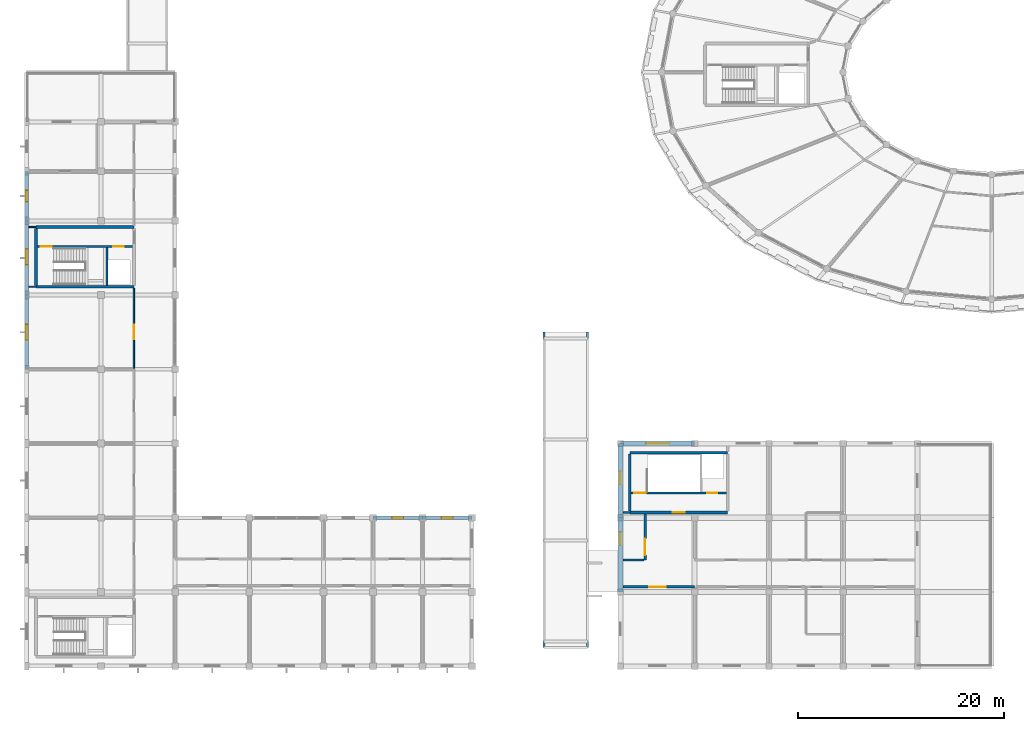
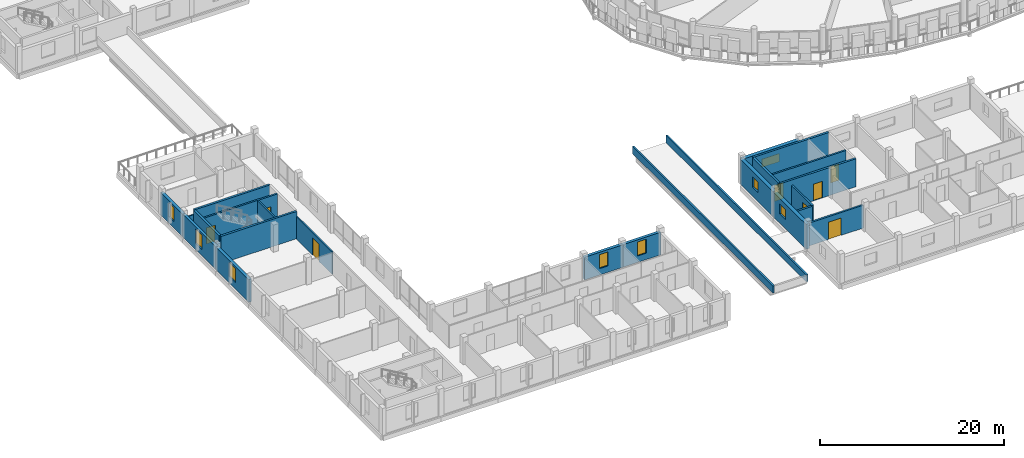
# One storey, part 73 of 93: 26 walls, 8 doors, 8 windows, 16 openings.
"""IFC4 building model written with IfcOpenShell, lengths in metres."""

from ifc_helpers import new_model, si_unit, direction, frame, frame_2d, origin, place, context, subcontext, project, spatial, rectangle, extrude, material, layer, layer_set, type_object, element, fill, save


model = new_model("IFC4")

# Units and contexts
model_context = context("Model", 3, precision=1e-05, world=origin(), true_north=direction((0.0, 1.0)))
body_context = subcontext(model_context, "Body", "Model", "MODEL_VIEW")
ifc_project = project(units=[si_unit("LENGTHUNIT", "METRE"), si_unit("AREAUNIT", "SQUARE_METRE"), si_unit("VOLUMEUNIT", "CUBIC_METRE"), si_unit("PLANEANGLEUNIT", "RADIAN"), si_unit("MASSUNIT", "GRAM", prefix="KILO")], contexts=[model_context])

# Site, building, storey
site_placement = place(None, origin())
site = spatial("IfcSite", under=ifc_project, at=site_placement, CompositionType="ELEMENT")
building_placement = place(site_placement, origin())
building = spatial("IfcBuilding", under=site, at=building_placement, Name="Zornivar Specialist Clinic", CompositionType="ELEMENT")
storey_placement = place(building_placement, frame((0.0, 0.0, 8.39990234375)))
storey = spatial("IfcBuildingStorey", under=building, at=storey_placement, Name="L02", CompositionType="ELEMENT", Elevation=8.39990234375)

# Wall, opening, window
ifc_material_1 = material(Name="Masonry Red-Ochre Brick and Stone Insulated Wall", Category="masonry")
ifc_layer_1 = layer(ifc_material_1, 0.360107421875)
ifc_layer_set_1 = layer_set([ifc_layer_1], Name="Masonry Red-Ochre Brick and Stone Insulated Wall")
wall_type_1 = type_object("IfcWallType", Name="EW-BRICK-360", PredefinedType="SOLIDWALL", material=ifc_layer_set_1)
wall_1_placement = place(storey_placement, frame((43.199951171875, 14.39990234375, 0.0), z_axis=(0.0, 0.0, 1.0), x_axis=(-1.0, 0.0, 0.0)))
wall_1 = element("IfcWall", 1, at=wall_1_placement, inside=storey, type_object=wall_type_1, Name="ew:V2:L02:09", PredefinedType="SOLIDWALL", context=body_context, shape_type="SweptSolid", body=[
    extrude(rectangle(XDim=4.800048828125, YDim=0.360107421875, at=frame_2d((2.39990234375, 0.0))), origin(), (0.0, 0.0, 1.0), 3.0),
])
opening_1_placement = place(wall_1_placement, frame((1.85009765625, 0.0, 0.85009765625)))
opening_1 = element("IfcOpeningElement", 2, at=opening_1_placement, cuts=wall_1, Name="Opening W-07", PredefinedType="OPENING", context=body_context, shape_type="SweptSolid", body=[
    extrude(rectangle(XDim=1.10009765625, YDim=1.85009765625, at=frame_2d((0.550048828125, 0.925048828125))), frame((0.0, 0.18994140625, 0.0), z_axis=(0.0, -1.0, 0.0), x_axis=(1.0, 0.0, 0.0)), (0.0, 0.0, 1.0), 0.380126953125),
])
ifc_material_2 = material(Name="Triple-Glazed Aluminium-Timber Window Glass", Category="wood")
window_type_1 = type_object("IfcWindowType", Name="WIN-OUTP-PIER-1100x1850", PartitioningType="SINGLE_PANEL", PredefinedType="WINDOW", material=ifc_material_2)
window_1_placement = place(opening_1_placement, origin())
window_1 = element("IfcWindow", 3, at=window_1_placement, inside=storey, type_object=window_type_1, Name="win:V2:L02:09", OverallHeight=1.85009765625, OverallWidth=1.10009765625, PartitioningType="SINGLE_PANEL", PredefinedType="WINDOW", context=body_context, shape_type="SweptSolid", body=[
    extrude(rectangle(XDim=1.10009765625, YDim=1.85009765625, at=frame_2d((0.550048828125, 0.925048828125))), frame((0.0, 0.030029296875, 0.0), z_axis=(0.0, -1.0, 0.0), x_axis=(1.0, 0.0, 0.0)), (0.0, 0.0, 1.0), 0.06005859375),
])
fill(opening_1, window_1)

wall_2_placement = place(storey_placement, frame((38.39990234375, 14.39990234375, 0.0), z_axis=(0.0, 0.0, 1.0), x_axis=(-1.0, 0.0, 0.0)))
wall_2 = element("IfcWall", 4, at=wall_2_placement, inside=storey, type_object=wall_type_1, Name="ew:V2:L02:10", PredefinedType="SOLIDWALL", context=body_context, shape_type="SweptSolid", body=[
    extrude(rectangle(XDim=4.7998046875, YDim=0.360107421875, at=frame_2d((2.39990234375, 0.0))), origin(), (0.0, 0.0, 1.0), 3.0),
])
opening_2_placement = place(wall_2_placement, frame((1.85009765625, 0.0, 0.85009765625)))
opening_2 = element("IfcOpeningElement", 5, at=opening_2_placement, cuts=wall_2, Name="Opening W-07", PredefinedType="OPENING", context=body_context, shape_type="SweptSolid", body=[
    extrude(rectangle(XDim=1.10009765625, YDim=1.85009765625, at=frame_2d((0.550048828125, 0.925048828125))), frame((0.0, 0.18994140625, 0.0), z_axis=(0.0, -1.0, 0.0), x_axis=(1.0, 0.0, 0.0)), (0.0, 0.0, 1.0), 0.380126953125),
])
window_2_placement = place(opening_2_placement, origin())
window_2 = element("IfcWindow", 6, at=window_2_placement, inside=storey, type_object=window_type_1, Name="win:V2:L02:10", OverallHeight=1.85009765625, OverallWidth=1.10009765625, PartitioningType="SINGLE_PANEL", PredefinedType="WINDOW", context=body_context, shape_type="SweptSolid", body=[
    extrude(rectangle(XDim=1.10009765625, YDim=1.85009765625, at=frame_2d((0.550048828125, 0.925048828125))), frame((0.0, 0.030029296875, 0.0), z_axis=(0.0, -1.0, 0.0), x_axis=(1.0, 0.0, 0.0)), (0.0, 0.0, 1.0), 0.06005859375),
])
fill(opening_2, window_2)

wall_3_placement = place(storey_placement, frame((0.0, 48.0, 0.0), z_axis=(0.0, 0.0, 1.0), x_axis=(0.0, -1.0, 0.0)))
wall_3 = element("IfcWall", 7, at=wall_3_placement, inside=storey, type_object=wall_type_1, Name="ew:V2:L02:23", PredefinedType="SOLIDWALL", context=body_context, shape_type="SweptSolid", body=[
    extrude(rectangle(XDim=4.800048828125, YDim=0.360107421875, at=frame_2d((2.39990234375, 0.0))), origin(), (0.0, 0.0, 1.0), 3.0),
])
opening_3_placement = place(wall_3_placement, frame((1.85009765625, 0.0, 0.85009765625)))
opening_3 = element("IfcOpeningElement", 8, at=opening_3_placement, cuts=wall_3, Name="Opening W-07", PredefinedType="OPENING", context=body_context, shape_type="SweptSolid", body=[
    extrude(rectangle(XDim=1.10009765625, YDim=1.85009765625, at=frame_2d((0.550048828125, 0.925048828125))), frame((0.0, 0.18994140625, 0.0), z_axis=(0.0, -1.0, 0.0), x_axis=(1.0, 0.0, 0.0)), (0.0, 0.0, 1.0), 0.380126953125),
])
window_3_placement = place(opening_3_placement, origin())
window_3 = element("IfcWindow", 9, at=window_3_placement, inside=storey, type_object=window_type_1, Name="win:V2:L02:23", OverallHeight=1.85009765625, OverallWidth=1.10009765625, PartitioningType="SINGLE_PANEL", PredefinedType="WINDOW", context=body_context, shape_type="SweptSolid", body=[
    extrude(rectangle(XDim=1.10009765625, YDim=1.85009765625, at=frame_2d((0.550048828125, 0.925048828125))), frame((0.0, 0.030029296875, 0.0), z_axis=(0.0, -1.0, 0.0), x_axis=(1.0, 0.0, 0.0)), (0.0, 0.0, 1.0), 0.06005859375),
])
fill(opening_3, window_3)

wall_4_placement = place(storey_placement, frame((0.0, 43.199951171875, 0.0), z_axis=(0.0, 0.0, 1.0), x_axis=(0.0, -1.0, 0.0)))
wall_4 = element("IfcWall", 10, at=wall_4_placement, inside=storey, type_object=wall_type_1, Name="ew:V2:L02:24", PredefinedType="SOLIDWALL", context=body_context, shape_type="SweptSolid", body=[
    extrude(rectangle(XDim=7.199951171875, YDim=0.360107421875, at=frame_2d((3.60009765625, 0.0))), origin(), (0.0, 0.0, 1.0), 3.0),
])
opening_4_placement = place(wall_4_placement, frame((2.75, 0.0, 0.85009765625)))
opening_4 = element("IfcOpeningElement", 11, at=opening_4_placement, cuts=wall_4, Name="Opening W-05", PredefinedType="OPENING", context=body_context, shape_type="SweptSolid", body=[
    extrude(rectangle(XDim=1.5, YDim=1.89990234375, at=frame_2d((0.75, 0.949951171875))), frame((0.0, 0.18994140625, 0.0), z_axis=(0.0, -1.0, 0.0), x_axis=(1.0, 0.0, 0.0)), (0.0, 0.0, 1.0), 0.380126953125),
])
ifc_material_3 = material(Name="Triple-Glazed Aluminium-Timber Window Glass", Category="wood")
window_type_2 = type_object("IfcWindowType", Name="WIN-OUTP-STREET-1500x1900", PartitioningType="SINGLE_PANEL", PredefinedType="WINDOW", material=ifc_material_3)
window_4_placement = place(opening_4_placement, origin())
window_4 = element("IfcWindow", 12, at=window_4_placement, inside=storey, type_object=window_type_2, Name="win:V2:L02:24", OverallHeight=1.89990234375, OverallWidth=1.5, PartitioningType="SINGLE_PANEL", PredefinedType="WINDOW", context=body_context, shape_type="SweptSolid", body=[
    extrude(rectangle(XDim=1.5, YDim=1.89990234375, at=frame_2d((0.75, 0.949951171875))), frame((0.0, 0.030029296875, 0.0), z_axis=(0.0, -1.0, 0.0), x_axis=(1.0, 0.0, 0.0)), (0.0, 0.0, 1.0), 0.06005859375),
])
fill(opening_4, window_4)

wall_5_placement = place(storey_placement, frame((0.0, 36.0, 0.0), z_axis=(0.0, 0.0, 1.0), x_axis=(0.0, -1.0, 0.0)))
wall_5 = element("IfcWall", 13, at=wall_5_placement, inside=storey, type_object=wall_type_1, Name="ew:V2:L02:25", PredefinedType="SOLIDWALL", context=body_context, shape_type="SweptSolid", body=[
    extrude(rectangle(XDim=7.199951171875, YDim=0.360107421875, at=frame_2d((3.60009765625, 0.0))), origin(), (0.0, 0.0, 1.0), 3.0),
])
opening_5_placement = place(wall_5_placement, frame((2.85009765625, 0.0, 0.85009765625)))
opening_5 = element("IfcOpeningElement", 14, at=opening_5_placement, cuts=wall_5, Name="Opening W-05", PredefinedType="OPENING", context=body_context, shape_type="SweptSolid", body=[
    extrude(rectangle(XDim=1.5, YDim=1.89990234375, at=frame_2d((0.75, 0.949951171875))), frame((0.0, 0.18994140625, 0.0), z_axis=(0.0, -1.0, 0.0), x_axis=(1.0, 0.0, 0.0)), (0.0, 0.0, 1.0), 0.380126953125),
])
window_5_placement = place(opening_5_placement, origin())
window_5 = element("IfcWindow", 15, at=window_5_placement, inside=storey, type_object=window_type_2, Name="win:V2:L02:25", OverallHeight=1.89990234375, OverallWidth=1.5, PartitioningType="SINGLE_PANEL", PredefinedType="WINDOW", context=body_context, shape_type="SweptSolid", body=[
    extrude(rectangle(XDim=1.5, YDim=1.89990234375, at=frame_2d((0.75, 0.949951171875))), frame((0.0, 0.030029296875, 0.0), z_axis=(0.0, -1.0, 0.0), x_axis=(1.0, 0.0, 0.0)), (0.0, 0.0, 1.0), 0.06005859375),
])
fill(opening_5, window_5)

ifc_material_4 = material(Name="Barium-shielded concrete C35/45", Category="concrete")
ifc_layer_2 = layer(ifc_material_4, 0.4599609375)
ifc_layer_set_2 = layer_set([ifc_layer_2], Name="Barium-shielded concrete C35/45")
wall_type_2 = type_object("IfcWallType", Name="EW-IMG-SHIELD-460", PredefinedType="SOLIDWALL", material=ifc_layer_set_2)
wall_6_placement = place(storey_placement, frame((64.800048828125, 21.60009765625, 0.0), z_axis=(0.0, 0.0, 1.0), x_axis=(-1.0, 0.0, 0.0)))
wall_6 = element("IfcWall", 16, at=wall_6_placement, inside=storey, type_object=wall_type_2, Name="ew:V3:L02:10", PredefinedType="SOLIDWALL", context=body_context, shape_type="SweptSolid", body=[
    extrude(rectangle(XDim=7.199951171875, YDim=0.4599609375, at=frame_2d((3.60009765625, 0.0))), origin(), (0.0, 0.0, 1.0), 3.300048828125),
])
opening_6_placement = place(wall_6_placement, frame((2.5, 0.0, 1.199951171875)))
opening_6 = element("IfcOpeningElement", 17, at=opening_6_placement, cuts=wall_6, Name="Opening W-13", PredefinedType="OPENING", context=body_context, shape_type="SweptSolid", body=[
    extrude(rectangle(XDim=2.199951171875, YDim=1.10009765625, at=frame_2d((1.10009765625, 0.550048828125))), frame((0.0, 0.239990234375, 0.0), z_axis=(0.0, -1.0, 0.0), x_axis=(1.0, 0.0, 0.0)), (0.0, 0.0, 1.0), 0.47998046875),
])
ifc_material_5 = material(Name="Triple-Glazed Aluminium-Timber Window Glass", Category="wood")
window_type_3 = type_object("IfcWindowType", Name="WIN-IMG-CLER-2200x1100", PartitioningType="SINGLE_PANEL", PredefinedType="WINDOW", material=ifc_material_5)
window_6_placement = place(opening_6_placement, origin())
window_6 = element("IfcWindow", 18, at=window_6_placement, inside=storey, type_object=window_type_3, Name="win:V3:L02:10", OverallHeight=1.10009765625, OverallWidth=2.199951171875, PartitioningType="SINGLE_PANEL", PredefinedType="WINDOW", context=body_context, shape_type="SweptSolid", body=[
    extrude(rectangle(XDim=2.199951171875, YDim=1.10009765625, at=frame_2d((1.10009765625, 0.550048828125))), frame((0.0, 0.030029296875, 0.0), z_axis=(0.0, -1.0, 0.0), x_axis=(1.0, 0.0, 0.0)), (0.0, 0.0, 1.0), 0.06005859375),
])
fill(opening_6, window_6)

wall_7_placement = place(storey_placement, frame((57.60009765625, 21.60009765625, 0.0), z_axis=(0.0, 0.0, 1.0), x_axis=(0.0, -1.0, 0.0)))
wall_7 = element("IfcWall", 19, at=wall_7_placement, inside=storey, type_object=wall_type_2, Name="ew:V3:L02:11", PredefinedType="SOLIDWALL", context=body_context, shape_type="SweptSolid", body=[
    extrude(rectangle(XDim=7.2001953125, YDim=0.4599609375, at=frame_2d((3.60009765625, 0.0))), origin(), (0.0, 0.0, 1.0), 3.300048828125),
])
opening_7_placement = place(wall_7_placement, frame((2.72509765625, 0.0, 1.199951171875)))
opening_7 = element("IfcOpeningElement", 20, at=opening_7_placement, cuts=wall_7, Name="Opening W-14", PredefinedType="OPENING", context=body_context, shape_type="SweptSolid", body=[
    extrude(rectangle(XDim=1.25, YDim=1.35009765625, at=frame_2d((0.625, 0.675048828125))), frame((0.0, 0.239990234375, 0.0), z_axis=(0.0, -1.0, 0.0), x_axis=(1.0, 0.0, 0.0)), (0.0, 0.0, 1.0), 0.47998046875),
])
ifc_material_6 = material(Name="Triple-Glazed Aluminium-Timber Window Glass", Category="wood")
window_type_4 = type_object("IfcWindowType", Name="WIN-IMG-CTRL-1250x1350", PartitioningType="SINGLE_PANEL", PredefinedType="WINDOW", material=ifc_material_6)
window_7_placement = place(opening_7_placement, origin())
window_7 = element("IfcWindow", 21, at=window_7_placement, inside=storey, type_object=window_type_4, Name="win:V3:L02:11", OverallHeight=1.35009765625, OverallWidth=1.25, PartitioningType="SINGLE_PANEL", PredefinedType="WINDOW", context=body_context, shape_type="SweptSolid", body=[
    extrude(rectangle(XDim=1.25, YDim=1.35009765625, at=frame_2d((0.625, 0.675048828125))), frame((0.0, 0.030029296875, 0.0), z_axis=(0.0, -1.0, 0.0), x_axis=(1.0, 0.0, 0.0)), (0.0, 0.0, 1.0), 0.06005859375),
])
fill(opening_7, window_7)

wall_8_placement = place(storey_placement, frame((57.60009765625, 14.39990234375, 0.0), z_axis=(0.0, 0.0, 1.0), x_axis=(0.0, -1.0, 0.0)))
wall_8 = element("IfcWall", 22, at=wall_8_placement, inside=storey, type_object=wall_type_2, Name="ew:V3:L02:12", PredefinedType="SOLIDWALL", context=body_context, shape_type="SweptSolid", body=[
    extrude(rectangle(XDim=7.199951171875, YDim=0.4599609375, at=frame_2d((3.60009765625, 0.0))), origin(), (0.0, 0.0, 1.0), 3.300048828125),
])
opening_8_placement = place(wall_8_placement, frame((1.425048828125, 0.0, 1.199951171875)))
opening_8 = element("IfcOpeningElement", 23, at=opening_8_placement, cuts=wall_8, Name="Opening W-14", PredefinedType="OPENING", context=body_context, shape_type="SweptSolid", body=[
    extrude(rectangle(XDim=1.25, YDim=1.35009765625, at=frame_2d((0.625, 0.675048828125))), frame((0.0, 0.239990234375, 0.0), z_axis=(0.0, -1.0, 0.0), x_axis=(1.0, 0.0, 0.0)), (0.0, 0.0, 1.0), 0.47998046875),
])
window_8_placement = place(opening_8_placement, origin())
window_8 = element("IfcWindow", 24, at=window_8_placement, inside=storey, type_object=window_type_4, Name="win:V3:L02:12", OverallHeight=1.35009765625, OverallWidth=1.25, PartitioningType="SINGLE_PANEL", PredefinedType="WINDOW", context=body_context, shape_type="SweptSolid", body=[
    extrude(rectangle(XDim=1.25, YDim=1.35009765625, at=frame_2d((0.625, 0.675048828125))), frame((0.0, 0.030029296875, 0.0), z_axis=(0.0, -1.0, 0.0), x_axis=(1.0, 0.0, 0.0)), (0.0, 0.0, 1.0), 0.06005859375),
])
fill(opening_8, window_8)

# Wall
ifc_material_7 = material(Name="Acoustic Clinical Stud Partition")
ifc_layer_3 = layer(ifc_material_7, 0.139892578125)
ifc_layer_set_3 = layer_set([ifc_layer_3], Name="Acoustic Clinical Stud Partition")
wall_type_3 = type_object("IfcWallType", Name="IW-CLIN-140", PredefinedType="PARTITIONING", material=ifc_layer_set_3)
wall_9_placement = place(storey_placement, frame((0.89990234375, 42.60009765625, 0.0), z_axis=(0.0, 0.0, 1.0), x_axis=(-1.0, 0.0, 0.0)))
element("IfcWall", 25, at=wall_9_placement, inside=storey, type_object=wall_type_3, Name="iw:L02:059", PredefinedType="PARTITIONING", context=body_context, shape_type="SweptSolid", body=[
    extrude(rectangle(XDim=0.704833984375, YDim=0.139892578125, at=frame_2d((0.3525390625, 0.0))), origin(), (0.0, 0.0, 1.0), 2.97998046875),
])

# Wall, opening, door
ifc_material_8 = material(Name="Gypsum Fire-Rated Double Stud Partition")
ifc_layer_4 = layer(ifc_material_8, 0.159912109375)
ifc_layer_set_4 = layer_set([ifc_layer_4], Name="Gypsum Fire-Rated Double Stud Partition")
wall_type_4 = type_object("IfcWallType", Name="IW-CORR-EI60-160", PredefinedType="PARTITIONING", material=ifc_layer_set_4)
wall_10_placement = place(storey_placement, frame((10.39990234375, 36.655029296875, 0.0), z_axis=(0.0, 0.0, 1.0), x_axis=(0.0, -1.0, 0.0)))
wall_10 = element("IfcWall", 26, at=wall_10_placement, inside=storey, type_object=wall_type_4, Name="iw:L02:056", PredefinedType="PARTITIONING", context=body_context, shape_type="SweptSolid", body=[
    extrude(rectangle(XDim=7.77099609375, YDim=0.159912109375, at=frame_2d((3.885498046875, 0.0))), origin(), (0.0, 0.0, 1.0), 2.97998046875),
])
opening_9_placement = place(wall_10_placement, frame((3.5380859375, 0.0, 0.0)))
opening_9 = element("IfcOpeningElement", 27, at=opening_9_placement, cuts=wall_10, Name="Opening ID-12", PredefinedType="OPENING", context=body_context, shape_type="SweptSolid", body=[
    extrude(rectangle(XDim=1.39990234375, YDim=2.300048828125, at=frame_2d((0.699951171875, 1.14990234375))), frame((0.0, 0.08984375, 0.0), z_axis=(0.0, -1.0, 0.0), x_axis=(1.0, 0.0, 0.0)), (0.0, 0.0, 1.0), 0.179931640625),
])
ifc_material_9 = material(Name="Solid-Core Hygienic Laminate Timber Door", Category="wood")
door_type_1 = type_object("IfcDoorType", Name="ID-WAIT-1400x2300", OperationType="NOTDEFINED", PredefinedType="DOOR", material=ifc_material_9)
door_1_placement = place(opening_9_placement, origin())
door_1 = element("IfcDoor", 28, at=door_1_placement, inside=storey, type_object=door_type_1, Name="door:space:V2:L02:rm:03", OperationType="DOUBLE_DOOR_SINGLE_SWING", OverallHeight=2.300048828125, OverallWidth=1.39990234375, PredefinedType="DOOR", context=body_context, shape_type="SweptSolid", body=[
    extrude(rectangle(XDim=1.39990234375, YDim=2.300048828125, at=frame_2d((0.699951171875, 1.14990234375))), frame((0.0, 0.02490234375, 0.0), z_axis=(0.0, -1.0, 0.0), x_axis=(1.0, 0.0, 0.0)), (0.0, 0.0, 1.0), 0.050048828125),
])
fill(opening_9, door_1)

# Wall
ifc_material_10 = material(Name="Acoustic Glazed Consultation Partition")
ifc_layer_5 = layer(ifc_material_10, 0.1201171875)
ifc_layer_set_5 = layer_set([ifc_layer_5], Name="Acoustic Glazed Consultation Partition")
wall_type_5 = type_object("IfcWallType", Name="IW-GLAZ-120", PredefinedType="PARTITIONING", material=ifc_layer_set_5)
wall_11_placement = place(storey_placement, frame((0.195068359375, 36.800048828125, 0.0), z_axis=(0.0, 0.0, 1.0), x_axis=(1.0, 0.0, 0.0)))
element("IfcWall", 29, at=wall_11_placement, inside=storey, type_object=wall_type_5, Name="iw:L02:057", PredefinedType="PARTITIONING", context=body_context, shape_type="SweptSolid", body=[
    extrude(rectangle(XDim=0.704833984375, YDim=0.1201171875, at=frame_2d((0.3525390625, 0.0))), origin(), (0.0, 0.0, 1.0), 2.97998046875),
])

# Wall, opening, door
ifc_material_11 = material(Name="Barium-Plaster Shielded Diagnostic Partition")
ifc_layer_6 = layer(ifc_material_11, 0.22998046875)
ifc_layer_set_6 = layer_set([ifc_layer_6], Name="Barium-Plaster Shielded Diagnostic Partition")
wall_type_6 = type_object("IfcWallType", Name="IW-IMG-LEAD-230", PredefinedType="PARTITIONING", material=ifc_layer_set_6)
wall_12_placement = place(storey_placement, frame((57.844970703125, 7.699951171875, 0.0), z_axis=(0.0, 0.0, 1.0), x_axis=(1.0, 0.0, 0.0)))
wall_12 = element("IfcWall", 30, at=wall_12_placement, inside=storey, type_object=wall_type_6, Name="iw:L02:084", PredefinedType="PARTITIONING", context=body_context, shape_type="SweptSolid", body=[
    extrude(rectangle(XDim=6.955078125, YDim=0.22998046875, at=frame_2d((3.4775390625, 0.0))), origin(), (0.0, 0.0, 1.0), 3.0400390625),
])
opening_10_placement = place(wall_12_placement, frame((2.56201171875, 0.0, 0.0)))
opening_10 = element("IfcOpeningElement", 31, at=opening_10_placement, cuts=wall_12, Name="Opening ID-02", PredefinedType="OPENING", context=body_context, shape_type="SweptSolid", body=[
    extrude(rectangle(XDim=1.60009765625, YDim=2.300048828125, at=frame_2d((0.800048828125, 1.14990234375))), frame((0.0, 0.125, 0.0), z_axis=(0.0, -1.0, 0.0), x_axis=(1.0, 0.0, 0.0)), (0.0, 0.0, 1.0), 0.25),
])
ifc_material_12 = material(Name="Solid-Core Hygienic Laminate Timber Door", Category="wood")
door_type_2 = type_object("IfcDoorType", Name="ID-IMG-1600x2300", OperationType="NOTDEFINED", PredefinedType="DOOR", material=ifc_material_12)
door_2_placement = place(opening_10_placement, origin())
door_2 = element("IfcDoor", 32, at=door_2_placement, inside=storey, type_object=door_type_2, Name="door:space:V3:L02:rm:00", OperationType="DOUBLE_DOOR_SINGLE_SWING", OverallHeight=2.300048828125, OverallWidth=1.60009765625, PredefinedType="DOOR", context=body_context, shape_type="SweptSolid", body=[
    extrude(rectangle(XDim=1.60009765625, YDim=2.300048828125, at=frame_2d((0.800048828125, 1.14990234375))), frame((0.0, 0.02490234375, 0.0), z_axis=(0.0, -1.0, 0.0), x_axis=(1.0, 0.0, 0.0)), (0.0, 0.0, 1.0), 0.050048828125),
])
fill(opening_10, door_2)

# Wall
wall_13_placement = place(storey_placement, frame((57.844970703125, 14.89990234375, 0.0), z_axis=(0.0, 0.0, 1.0), x_axis=(1.0, 0.0, 0.0)))
element("IfcWall", 33, at=wall_13_placement, inside=storey, type_object=wall_type_6, Name="iw:L02:086", PredefinedType="PARTITIONING", context=body_context, shape_type="SweptSolid", body=[
    extrude(rectangle(XDim=0.655029296875, YDim=0.22998046875, at=frame_2d((0.32763671875, 0.0))), origin(), (0.0, 0.0, 1.0), 3.0400390625),
])

# Wall, opening, door
wall_14_placement = place(storey_placement, frame((60.0, 14.7548828125, 0.0), z_axis=(0.0, 0.0, 1.0), x_axis=(0.0, -1.0, 0.0)))
wall_14 = element("IfcWall", 34, at=wall_14_placement, inside=storey, type_object=wall_type_6, Name="iw:L02:087", PredefinedType="PARTITIONING", context=body_context, shape_type="SweptSolid", body=[
    extrude(rectangle(XDim=4.454833984375, YDim=0.22998046875, at=frame_2d((2.2275390625, 0.0))), origin(), (0.0, 0.0, 1.0), 3.0400390625),
])
opening_11_placement = place(wall_14_placement, frame((2.375, 0.0, 0.0)))
opening_11 = element("IfcOpeningElement", 35, at=opening_11_placement, cuts=wall_14, Name="Opening ID-02", PredefinedType="OPENING", context=body_context, shape_type="SweptSolid", body=[
    extrude(rectangle(XDim=1.60009765625, YDim=2.300048828125, at=frame_2d((0.800048828125, 1.14990234375))), frame((0.0, 0.125, 0.0), z_axis=(0.0, -1.0, 0.0), x_axis=(1.0, 0.0, 0.0)), (0.0, 0.0, 1.0), 0.25),
])
door_3_placement = place(opening_11_placement, origin())
door_3 = element("IfcDoor", 36, at=door_3_placement, inside=storey, type_object=door_type_2, Name="door:space:V3:L02:rm:01", OperationType="DOUBLE_DOOR_SINGLE_SWING", OverallHeight=2.300048828125, OverallWidth=1.60009765625, PredefinedType="DOOR", context=body_context, shape_type="SweptSolid", body=[
    extrude(rectangle(XDim=1.60009765625, YDim=2.300048828125, at=frame_2d((0.800048828125, 1.14990234375))), frame((0.0, 0.02490234375, 0.0), z_axis=(0.0, -1.0, 0.0), x_axis=(1.0, 0.0, 0.0)), (0.0, 0.0, 1.0), 0.050048828125),
])
fill(opening_11, door_3)

# Walls
wall_15_placement = place(storey_placement, frame((59.87109375, 10.300048828125, 0.0), z_axis=(0.0, 0.0, 1.0), x_axis=(-1.0, 0.0, 0.0)))
element("IfcWall", 37, at=wall_15_placement, inside=storey, type_object=wall_type_6, Name="iw:L02:088", PredefinedType="PARTITIONING", context=body_context, shape_type="SweptSolid", body=[
    extrude(rectangle(XDim=2.026123046875, YDim=0.22998046875, at=frame_2d((1.01318359375, 0.0))), origin(), (0.0, 0.0, 1.0), 3.0400390625),
])
ifc_material_13 = material(Name="Masonry Zinc-Capped Bridge Parapet", Category="masonry")
ifc_layer_7 = layer(ifc_material_13, 0.199951171875)
ifc_layer_set_7 = layer_set([ifc_layer_7], Name="Masonry Zinc-Capped Bridge Parapet")
wall_type_7 = type_object("IfcWallType", Name="PW-PARAPET-200", PredefinedType="PARAPET", material=ifc_layer_set_7)
for number, where, z_axis, x_axis, name in (
    (38, (54.39990234375, 1.800048828125, 0.0), (0.0, 0.0, 1.0), (0.0, 1.0, 0.0), "pw:BR1:L02:1"),
    (39, (50.199951171875, 32.39990234375, 0.0), (0.0, 0.0, 1.0), (0.0, -1.0, 0.0), "pw:BR1:L02:3"),
):
    element("IfcWall", number, at=place(storey_placement, frame(where, z_axis=z_axis, x_axis=x_axis)), inside=storey, type_object=wall_type_7, Name=name, PredefinedType="PARAPET", context=body_context, shape_type="SweptSolid", body=[
        extrude(rectangle(XDim=30.599853515625, YDim=0.199951171875, at=frame_2d((15.2998046875, 0.0))), origin(), (0.0, 0.0, 1.0), 0.9501953125),
    ])
ifc_material_14 = material(Name="Concrete C35/45", Category="concrete")
ifc_layer_8 = layer(ifc_material_14, 0.260009765625)
ifc_layer_set_8 = layer_set([ifc_layer_8], Name="Concrete C35/45")
wall_type_8 = type_object("IfcWallType", Name="SW-CORE-260", PredefinedType="SHEAR", material=ifc_layer_set_8)
for number, where, z_axis, x_axis, name in (
    (40, (0.89990234375, 36.800048828125, 0.0), (0.0, 0.0, 1.0), (1.0, 0.0, 0.0), "sw:C2:L02:w0"),
    (41, (10.39990234375, 42.60009765625, 0.0), (0.0, 0.0, 1.0), (-1.0, 0.0, 0.0), "sw:C2:L02:w2"),
):
    element("IfcWall", number, at=place(storey_placement, frame(where, z_axis=z_axis, x_axis=x_axis)), inside=storey, type_object=wall_type_8, Name=name, PredefinedType="SHEAR", context=body_context, shape_type="SweptSolid", body=[
        extrude(rectangle(XDim=9.5, YDim=0.260009765625, at=frame_2d((4.75, 0.0))), origin(), (0.0, 0.0, 1.0), 3.6201171875),
    ])
wall_16_placement = place(storey_placement, frame((0.89990234375, 42.469970703125, 0.0), z_axis=(0.0, 0.0, 1.0), x_axis=(0.0, -1.0, 0.0)))
element("IfcWall", 42, at=wall_16_placement, inside=storey, type_object=wall_type_8, Name="sw:C2:L02:w3", PredefinedType="SHEAR", context=body_context, shape_type="SweptSolid", body=[
    extrude(rectangle(XDim=5.5400390625, YDim=0.260009765625, at=frame_2d((2.77001953125, 0.0))), origin(), (0.0, 0.0, 1.0), 3.6201171875),
])

# Wall, opening, door
wall_17_placement = place(storey_placement, frame((58.5, 14.89990234375, 0.0), z_axis=(0.0, 0.0, 1.0), x_axis=(1.0, 0.0, 0.0)))
wall_17 = element("IfcWall", 43, at=wall_17_placement, inside=storey, type_object=wall_type_8, Name="sw:C5:L02:w0", PredefinedType="SHEAR", context=body_context, shape_type="SweptSolid", body=[
    extrude(rectangle(XDim=9.5, YDim=0.260009765625, at=frame_2d((4.75, 0.0))), origin(), (0.0, 0.0, 1.0), 3.72021484375),
])
opening_12_placement = place(wall_17_placement, frame((4.175048828125, 0.0, 0.0)))
opening_12 = element("IfcOpeningElement", 44, at=opening_12_placement, cuts=wall_17, Name="Opening FD-03", PredefinedType="OPENING", context=body_context, shape_type="SweptSolid", body=[
    extrude(rectangle(XDim=1.14990234375, YDim=2.199951171875, at=frame_2d((0.574951171875, 1.10009765625))), frame((0.0, 0.139892578125, 0.0), z_axis=(0.0, -1.0, 0.0), x_axis=(1.0, 0.0, 0.0)), (0.0, 0.0, 1.0), 0.280029296875),
])
ifc_material_15 = material(Name="Solid-Core Hygienic Laminate Timber Door", Category="wood")
door_type_3 = type_object("IfcDoorType", Name="FD-LOBBY-UPPER-1150x2200", OperationType="NOTDEFINED", PredefinedType="DOOR", material=ifc_material_15)
door_4_placement = place(opening_12_placement, origin())
door_4 = element("IfcDoor", 45, at=door_4_placement, inside=storey, type_object=door_type_3, Name="door:C5:L02:lob", OperationType="SINGLE_SWING_RIGHT", OverallHeight=2.199951171875, OverallWidth=1.14990234375, PredefinedType="DOOR", context=body_context, shape_type="SweptSolid", body=[
    extrude(rectangle(XDim=1.14990234375, YDim=2.199951171875, at=frame_2d((0.574951171875, 1.10009765625))), frame((0.0, 0.02490234375, 0.0), z_axis=(0.0, -1.0, 0.0), x_axis=(1.0, 0.0, 0.0)), (0.0, 0.0, 1.0), 0.050048828125),
])
fill(opening_12, door_4)

# Walls
wall_18_placement = place(storey_placement, frame((68.0, 20.699951171875, 0.0), z_axis=(0.0, 0.0, 1.0), x_axis=(-1.0, 0.0, 0.0)))
element("IfcWall", 46, at=wall_18_placement, inside=storey, type_object=wall_type_8, Name="sw:C5:L02:w2", PredefinedType="SHEAR", context=body_context, shape_type="SweptSolid", body=[
    extrude(rectangle(XDim=9.5, YDim=0.260009765625, at=frame_2d((4.75, 0.0))), origin(), (0.0, 0.0, 1.0), 3.72021484375),
])
wall_19_placement = place(storey_placement, frame((58.5, 20.570068359375, 0.0), z_axis=(0.0, 0.0, 1.0), x_axis=(0.0, -1.0, 0.0)))
element("IfcWall", 47, at=wall_19_placement, inside=storey, type_object=wall_type_8, Name="sw:C5:L02:w3", PredefinedType="SHEAR", context=body_context, shape_type="SweptSolid", body=[
    extrude(rectangle(XDim=5.5400390625, YDim=0.260009765625, at=frame_2d((2.77001953125, 0.0))), origin(), (0.0, 0.0, 1.0), 3.72021484375),
])
ifc_material_16 = material(Name="Concrete C30/37", Category="concrete")
ifc_layer_9 = layer(ifc_material_16, 0.199951171875)
ifc_layer_set_9 = layer_set([ifc_layer_9], Name="Concrete C30/37")
wall_type_9 = type_object("IfcWallType", Name="SW-LIFT-200", PredefinedType="SHEAR", material=ifc_layer_set_9)
wall_20_placement = place(storey_placement, frame((7.800048828125, 36.929931640625, 0.0), z_axis=(0.0, 0.0, 1.0), x_axis=(0.0, 1.0, 0.0)))
element("IfcWall", 48, at=wall_20_placement, inside=storey, type_object=wall_type_9, Name="sw:C2:L02:sdiv", PredefinedType="SHEAR", context=body_context, shape_type="SweptSolid", body=[
    extrude(rectangle(XDim=3.670166015625, YDim=0.199951171875, at=frame_2d((1.8349609375, 0.0))), origin(), (0.0, 0.0, 1.0), 3.6201171875),
])

# Wall, openings, doors
ifc_material_17 = material(Name="Concrete C30/37", Category="concrete")
ifc_layer_10 = layer(ifc_material_17, 0.219970703125)
ifc_layer_set_10 = layer_set([ifc_layer_10], Name="Concrete C30/37")
wall_type_10 = type_object("IfcWallType", Name="SW-SHAFT-220", PredefinedType="SHEAR", material=ifc_layer_set_10)
wall_21_placement = place(storey_placement, frame((1.030029296875, 40.7099609375, 0.0), z_axis=(0.0, 0.0, 1.0), x_axis=(1.0, 0.0, 0.0)))
wall_21 = element("IfcWall", 49, at=wall_21_placement, inside=storey, type_object=wall_type_10, Name="sw:C2:L02:stwall", PredefinedType="SHEAR", context=body_context, shape_type="SweptSolid", body=[
    extrude(rectangle(XDim=9.239990234375, YDim=0.219970703125, at=frame_2d((4.6201171875, 0.0))), origin(), (0.0, 0.0, 1.0), 3.6201171875),
])
opening_13_placement = place(wall_21_placement, frame((0.320068359375, 0.0, 0.0)))
opening_13 = element("IfcOpeningElement", 50, at=opening_13_placement, cuts=wall_21, Name="Opening FD-02", PredefinedType="OPENING", context=body_context, shape_type="SweptSolid", body=[
    extrude(rectangle(XDim=1.10009765625, YDim=2.14990234375, at=frame_2d((0.550048828125, 1.074951171875))), frame((0.0, 0.119873046875, 0.0), z_axis=(0.0, -1.0, 0.0), x_axis=(1.0, 0.0, 0.0)), (0.0, 0.0, 1.0), 0.239990234375),
])
opening_14_placement = place(wall_21_placement, frame((7.3701171875, 0.0, 0.0)))
opening_14 = element("IfcOpeningElement", 51, at=opening_14_placement, cuts=wall_21, Name="Opening LD-02", PredefinedType="OPENING", context=body_context, shape_type="SweptSolid", body=[
    extrude(rectangle(XDim=1.0, YDim=2.199951171875, at=frame_2d((0.5, 1.10009765625))), frame((0.0, 0.119873046875, 0.0), z_axis=(0.0, -1.0, 0.0), x_axis=(1.0, 0.0, 0.0)), (0.0, 0.0, 1.0), 0.239990234375),
])
ifc_material_18 = material(Name="Solid-Core Hygienic Laminate Timber Door", Category="wood")
door_type_4 = type_object("IfcDoorType", Name="FD-STAIR-1100x2150", OperationType="NOTDEFINED", PredefinedType="DOOR", material=ifc_material_18)
door_5_placement = place(opening_13_placement, origin())
door_5 = element("IfcDoor", 52, at=door_5_placement, inside=storey, type_object=door_type_4, Name="door:C2:L02:stair", OperationType="SINGLE_SWING_LEFT", OverallHeight=2.14990234375, OverallWidth=1.10009765625, PredefinedType="DOOR", context=body_context, shape_type="SweptSolid", body=[
    extrude(rectangle(XDim=1.10009765625, YDim=2.14990234375, at=frame_2d((0.550048828125, 1.074951171875))), frame((0.0, 0.02490234375, 0.0), z_axis=(0.0, -1.0, 0.0), x_axis=(1.0, 0.0, 0.0)), (0.0, 0.0, 1.0), 0.050048828125),
])
fill(opening_13, door_5)
ifc_material_19 = material(Name="Stainless Steel Lift Landing Sliding Door", Category="steel")
door_type_5 = type_object("IfcDoorType", Name="LD-LIFT-1000x2200", OperationType="NOTDEFINED", PredefinedType="DOOR", material=ifc_material_19)
door_6_placement = place(opening_14_placement, origin())
door_6 = element("IfcDoor", 53, at=door_6_placement, inside=storey, type_object=door_type_5, Name="door:C2:L02:lift", OperationType="DOUBLE_DOOR_SLIDING", OverallHeight=2.199951171875, OverallWidth=1.0, PredefinedType="DOOR", context=body_context, shape_type="SweptSolid", body=[
    extrude(rectangle(XDim=1.0, YDim=2.199951171875, at=frame_2d((0.5, 1.10009765625))), frame((0.0, 0.02490234375, 0.0), z_axis=(0.0, -1.0, 0.0), x_axis=(1.0, 0.0, 0.0)), (0.0, 0.0, 1.0), 0.050048828125),
])
fill(opening_14, door_6)

wall_22_placement = place(storey_placement, frame((58.6298828125, 16.7900390625, 0.0), z_axis=(0.0, 0.0, 1.0), x_axis=(1.0, 0.0, 0.0)))
wall_22 = element("IfcWall", 54, at=wall_22_placement, inside=storey, type_object=wall_type_10, Name="sw:C5:L02:stwall", PredefinedType="SHEAR", context=body_context, shape_type="SweptSolid", body=[
    extrude(rectangle(XDim=9.240234375, YDim=0.219970703125, at=frame_2d((4.6201171875, 0.0))), origin(), (0.0, 0.0, 1.0), 3.72021484375),
])
opening_15_placement = place(wall_22_placement, frame((0.320068359375, 0.0, 0.0)))
opening_15 = element("IfcOpeningElement", 55, at=opening_15_placement, cuts=wall_22, Name="Opening FD-02", PredefinedType="OPENING", context=body_context, shape_type="SweptSolid", body=[
    extrude(rectangle(XDim=1.10009765625, YDim=2.14990234375, at=frame_2d((0.550048828125, 1.074951171875))), frame((0.0, 0.119873046875, 0.0), z_axis=(0.0, -1.0, 0.0), x_axis=(1.0, 0.0, 0.0)), (0.0, 0.0, 1.0), 0.239990234375),
])
opening_16_placement = place(wall_22_placement, frame((7.3701171875, 0.0, 0.0)))
opening_16 = element("IfcOpeningElement", 56, at=opening_16_placement, cuts=wall_22, Name="Opening LD-02", PredefinedType="OPENING", context=body_context, shape_type="SweptSolid", body=[
    extrude(rectangle(XDim=1.0, YDim=2.199951171875, at=frame_2d((0.5, 1.10009765625))), frame((0.0, 0.119873046875, 0.0), z_axis=(0.0, -1.0, 0.0), x_axis=(1.0, 0.0, 0.0)), (0.0, 0.0, 1.0), 0.239990234375),
])
door_7_placement = place(opening_15_placement, origin())
door_7 = element("IfcDoor", 57, at=door_7_placement, inside=storey, type_object=door_type_4, Name="door:C5:L02:stair", OperationType="SINGLE_SWING_LEFT", OverallHeight=2.14990234375, OverallWidth=1.10009765625, PredefinedType="DOOR", context=body_context, shape_type="SweptSolid", body=[
    extrude(rectangle(XDim=1.10009765625, YDim=2.14990234375, at=frame_2d((0.550048828125, 1.074951171875))), frame((0.0, 0.02490234375, 0.0), z_axis=(0.0, -1.0, 0.0), x_axis=(1.0, 0.0, 0.0)), (0.0, 0.0, 1.0), 0.050048828125),
])
fill(opening_15, door_7)
door_8_placement = place(opening_16_placement, origin())
door_8 = element("IfcDoor", 58, at=door_8_placement, inside=storey, type_object=door_type_5, Name="door:C5:L02:lift", OperationType="DOUBLE_DOOR_SLIDING", OverallHeight=2.199951171875, OverallWidth=1.0, PredefinedType="DOOR", context=body_context, shape_type="SweptSolid", body=[
    extrude(rectangle(XDim=1.0, YDim=2.199951171875, at=frame_2d((0.5, 1.10009765625))), frame((0.0, 0.02490234375, 0.0), z_axis=(0.0, -1.0, 0.0), x_axis=(1.0, 0.0, 0.0)), (0.0, 0.0, 1.0), 0.050048828125),
])
fill(opening_16, door_8)

save(model, "model.ifc")
